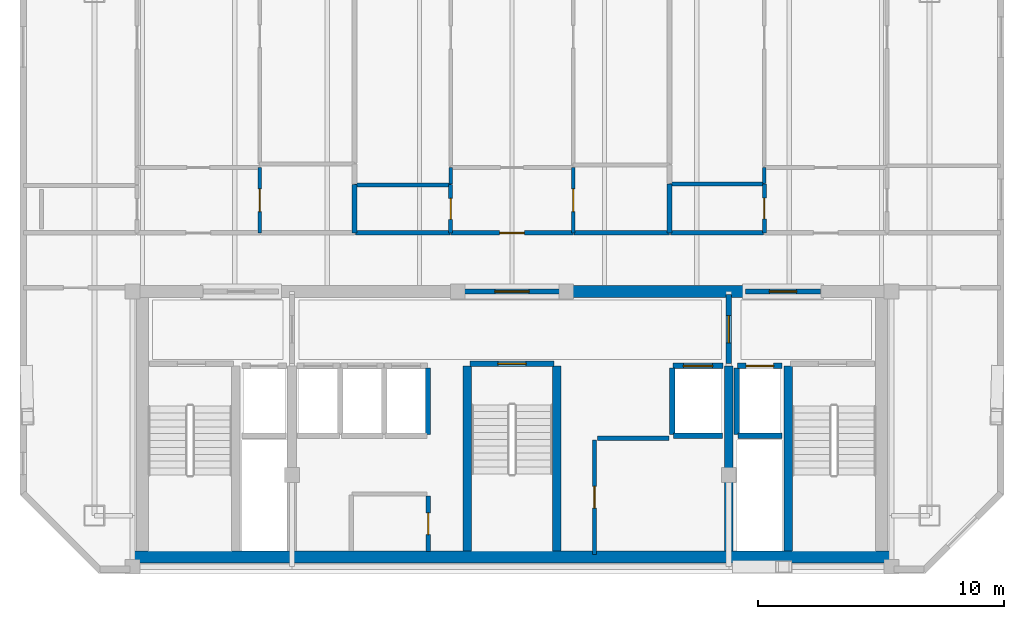
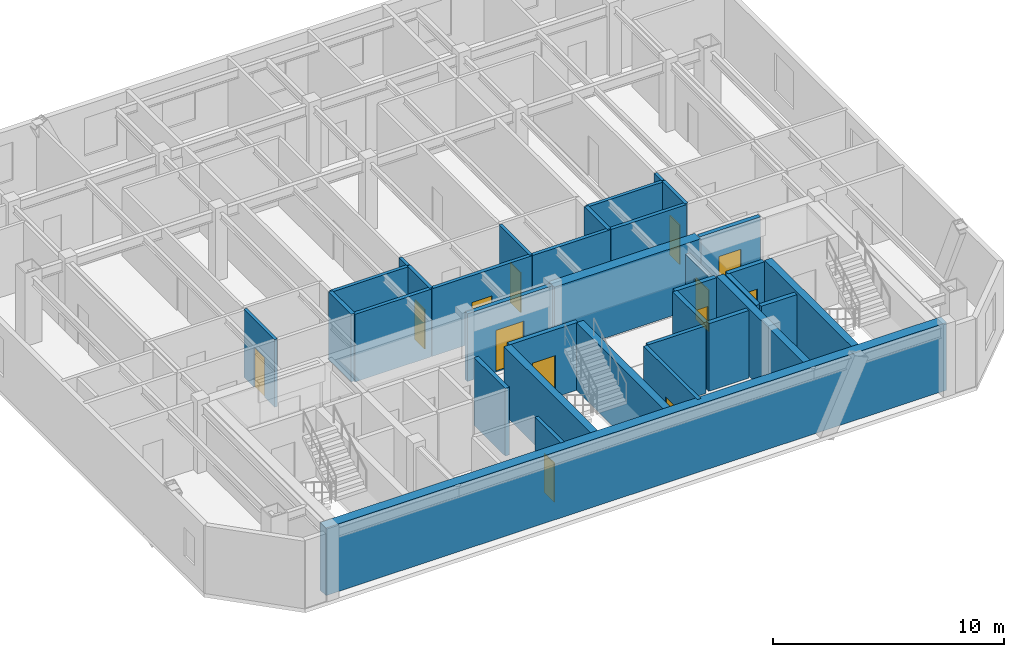
# One storey, part 3 of 7: 34 walls, 13 doors, 13 openings.
"""IFC4 building model written with IfcOpenShell, lengths in metres."""

import ifcopenshell
import ifcopenshell.guid

model = None  # the IFC model being written
_history = None  # IfcOwnerHistory: only IFC2X3 demands one
_inside = {}  # id of a spatial element -> (the spatial element, [elements in it])
_under = {}  # id of a project, library or spatial element -> (it, [spatial elements below it])
_declared = {}  # id of a project -> (the project, [libraries it declares])
_typed = {}  # id of a type object -> (the type object, [elements of that type])
_made_of = {}  # id of a material, layer set ... -> (it, [elements and type objects made of it])


def new_model(schema):
    """Start an empty IFC model of exactly this schema.

    Asked for "IFC4X3", IfcOpenShell would pick the latest addendum, in which some entities
    have other attributes; the version numbers below select the first issue.
    IFC2X3 requires an IfcOwnerHistory on every rooted entity: one is made here for all.
    """
    global model, _history
    if schema == "IFC4X3":
        model = ifcopenshell.file(schema_version=(4, 3, 0, 0))
    else:
        model = ifcopenshell.file(schema=schema)
    _inside.clear()
    _under.clear()
    _declared.clear()
    _typed.clear()
    _made_of.clear()
    _history = None
    if model.schema == "IFC2X3":
        org = make("IfcOrganization", Name="unknown")
        user = make(
            "IfcPersonAndOrganization",
            ThePerson=make("IfcPerson", FamilyName="unknown"),
            TheOrganization=org,
        )
        app = make(
            "IfcApplication",
            ApplicationDeveloper=org,
            Version="unknown",
            ApplicationFullName="unknown",
            ApplicationIdentifier="unknown",
        )
        _history = make(
            "IfcOwnerHistory",
            OwningUser=user,
            OwningApplication=app,
            ChangeAction="ADDED",
            CreationDate=0,
        )
    return model


def make(cls, **values):
    """One entity of the class cls with the attributes given. An attribute that is None is left unset."""
    return model.create_entity(
        cls, **{name: value for name, value in values.items() if value is not None}
    )


def rooted(cls, **values):
    """An entity with a GlobalId (a new one), such as an element, a storey or a relation."""
    return make(cls, GlobalId=ifcopenshell.guid.new(), OwnerHistory=_history, **values)


def si_unit(unit_type, name, prefix=None):
    """IfcSIUnit, for example si_unit("LENGTHUNIT", "METRE", prefix="MILLI")."""
    return make("IfcSIUnit", UnitType=unit_type, Prefix=prefix, Name=name)


def assignment(units):
    """IfcUnitAssignment: the units of a project."""
    return None if units is None else make("IfcUnitAssignment", Units=units)


def point(xyz):
    """IfcCartesianPoint."""
    return None if xyz is None else make("IfcCartesianPoint", Coordinates=xyz)


def direction(xyz):
    """IfcDirection."""
    return None if xyz is None else make("IfcDirection", DirectionRatios=xyz)


def frame(location, z_axis=None, x_axis=None):
    """IfcAxis2Placement3D, a coordinate frame: its origin and axes. An axis left out is left unset."""
    return make(
        "IfcAxis2Placement3D",
        Location=point(location),
        Axis=direction(z_axis),
        RefDirection=direction(x_axis),
    )


def frame_2d(location, x_axis=None):
    """IfcAxis2Placement2D, a coordinate frame in the plane: its origin and x axis."""
    return make(
        "IfcAxis2Placement2D", Location=point(location), RefDirection=direction(x_axis)
    )


def origin():
    """The frame at (0, 0, 0) with its axes left unset."""
    return frame((0.0, 0.0, 0.0))


def place(relative_to, where):
    """IfcLocalPlacement: puts the frame where relative to a parent placement (None: the world)."""
    return make(
        "IfcLocalPlacement", PlacementRelTo=relative_to, RelativePlacement=where
    )


def context(
    kind, dimensions, precision=None, world=None, true_north=None, identifier=None
):
    """IfcGeometricRepresentationContext, for example the 3D "Model" context."""
    return make(
        "IfcGeometricRepresentationContext",
        ContextIdentifier=identifier,
        ContextType=kind,
        CoordinateSpaceDimension=dimensions,
        Precision=precision,
        WorldCoordinateSystem=world,
        TrueNorth=true_north,
    )


def subcontext(parent, identifier, kind, view, scale=None):
    """IfcGeometricRepresentationSubContext, for example "Body" below "Model"."""
    return make(
        "IfcGeometricRepresentationSubContext",
        ContextIdentifier=identifier,
        ContextType=kind,
        ParentContext=parent,
        TargetScale=scale,
        TargetView=view,
    )


def project(units=None, contexts=None):
    """IfcProject with its units and contexts."""
    return rooted(
        "IfcProject",
        Name="project",
        RepresentationContexts=contexts,
        UnitsInContext=assignment(units),
    )


def spatial(cls, under=None, at=None, **own):
    """A site, building, storey or space (cls), placed at a placement, below another one or the project."""
    s = rooted(cls, ObjectPlacement=at, **own)
    if under is not None:
        _under.setdefault(under.id(), (under, []))[1].append(s)
    return s


def profile(cls, at=None, kind="AREA", **sizes):
    """A parametric profile (cls). Its sizes go by their IFC names, for example OverallWidth=200.0."""
    return make(cls, ProfileType=kind, Position=at, **sizes)


def rectangle(**sizes):
    """IfcRectangleProfileDef."""
    return profile("IfcRectangleProfileDef", **sizes)


def extrude(swept, where, along, depth):
    """IfcExtrudedAreaSolid: the profile swept, set in the frame where, extruded along a direction by depth."""
    return make(
        "IfcExtrudedAreaSolid",
        SweptArea=swept,
        Position=where,
        ExtrudedDirection=direction(along),
        Depth=depth,
    )


def shape(context_of_items, identifier, shape_type, items):
    """IfcShapeRepresentation: the items that make up one representation, for example the "Body"."""
    return make(
        "IfcShapeRepresentation",
        ContextOfItems=context_of_items,
        RepresentationIdentifier=identifier,
        RepresentationType=shape_type,
        Items=items,
    )


def material(Name=None, Category=None):
    """IfcMaterial."""
    return make("IfcMaterial", Name=Name, Category=Category)


def layer(
    of_material, thickness, ventilated=None, Name=None, Category=None, Priority=None
):
    """IfcMaterialLayer: one layer of a wall or slab, of a material (None: an air gap)."""
    return make(
        "IfcMaterialLayer",
        Material=of_material,
        LayerThickness=thickness,
        IsVentilated=ventilated,
        Name=Name,
        Category=Category,
        Priority=Priority,
    )


def layer_set(layers, Name=None):
    """IfcMaterialLayerSet."""
    return make("IfcMaterialLayerSet", MaterialLayers=layers, LayerSetName=Name)


def made_of(thing, what):
    """Note that an element or type object is made of a material, layer set ...; save() writes the relation."""
    if what is not None:
        _made_of.setdefault(what.id(), (what, []))[1].append(thing)
    return thing


def type_object(cls, material=None, **own):
    """A type object (cls), such as IfcWallType, which elements share."""
    return made_of(rooted(cls, **own), material)


def element(
    cls,
    number,
    at=None,
    inside=None,
    cuts=None,
    type_object=None,
    material=None,
    context=None,
    identifier="Body",
    shape_type=None,
    held_by="IfcProductDefinitionShape",
    body=None,
    shapes=None,
    **own,
):
    """One element of the class cls, such as IfcWall. Its Tag is "e" and its number.

    at: its placement. inside: the storey or other place that contains it. cuts: it is an
    opening in that element (IfcRelVoidsElement). A single representation is given by context,
    identifier, shape_type and body (its items); several are given by shapes. held_by: the class
    of the entity that holds the representations. save() writes the other relations.
    """
    e = rooted(cls, Tag="e%d" % number, ObjectPlacement=at, **own)
    if body is not None:
        shapes = [shape(context, identifier, shape_type, body)]
    if shapes is not None:
        e.Representation = make(held_by, Representations=shapes)
    if inside is not None:
        _inside.setdefault(inside.id(), (inside, []))[1].append(e)
    if cuts is not None:
        rooted(
            "IfcRelVoidsElement", RelatingBuildingElement=cuts, RelatedOpeningElement=e
        )
    if type_object is not None:
        _typed.setdefault(type_object.id(), (type_object, []))[1].append(e)
    return made_of(e, material)


def fill(opening, filler):
    """IfcRelFillsElement: the door or window that sits in an opening."""
    return rooted(
        "IfcRelFillsElement",
        RelatingOpeningElement=opening,
        RelatedBuildingElement=filler,
    )


def aggregate(whole, parts):
    """IfcRelAggregates: a whole, such as a stair, and the parts it consists of."""
    return rooted("IfcRelAggregates", RelatingObject=whole, RelatedObjects=parts)


def save(model, path):
    """Write the relations noted so far, then the file.

    IfcRelAggregates (storeys below a building ...), IfcRelContainedInSpatialStructure (elements
    in a storey), IfcRelDefinesByType, IfcRelAssociatesMaterial and IfcRelDeclares: one each for
    every whole, place, type object, material and project.
    """
    for whole, parts in _under.values():
        aggregate(whole, parts)
    for where, things in _inside.values():
        rooted(
            "IfcRelContainedInSpatialStructure",
            RelatedElements=things,
            RelatingStructure=where,
        )
    for kind, things in _typed.values():
        rooted("IfcRelDefinesByType", RelatedObjects=things, RelatingType=kind)
    for what, things in _made_of.values():
        rooted("IfcRelAssociatesMaterial", RelatedObjects=things, RelatingMaterial=what)
    for by, libraries in _declared.values():
        rooted("IfcRelDeclares", RelatingContext=by, RelatedDefinitions=libraries)
    model.write(path)


model = new_model("IFC4")

# Units and contexts
model_context = context("Model", 3, precision=1e-05, world=origin(), true_north=direction((0.0, 1.0)))
body_context = subcontext(model_context, "Body", "Model", "MODEL_VIEW")
ifc_project = project(units=[si_unit("LENGTHUNIT", "METRE"), si_unit("AREAUNIT", "SQUARE_METRE"), si_unit("VOLUMEUNIT", "CUBIC_METRE"), si_unit("PLANEANGLEUNIT", "RADIAN"), si_unit("MASSUNIT", "GRAM", prefix="KILO")], contexts=[model_context])

# Site, building, storey
site_placement = place(None, origin())
site = spatial("IfcSite", under=ifc_project, at=site_placement, CompositionType="ELEMENT")
building_placement = place(site_placement, origin())
building = spatial("IfcBuilding", under=site, at=building_placement, Name="Ventersveld Concourse Tower", CompositionType="ELEMENT")
storey_placement = place(building_placement, frame((0.0, 0.0, 304.14990234375)))
storey = spatial("IfcBuildingStorey", under=building, at=storey_placement, Name="L75", CompositionType="ELEMENT", Elevation=304.14990234375)

# Walls
ifc_material_1 = material(Name="Concrete C50/60", Category="concrete")
ifc_layer_1 = layer(ifc_material_1, 0.35009765625)
ifc_layer_set_1 = layer_set([ifc_layer_1], Name="Concrete C50/60")
wall_type_1 = type_object("IfcWallType", Name="WL-CORE-350U", PredefinedType="SHEAR", material=ifc_layer_set_1)
for number, where, z_axis, x_axis, name in (
    (1, (26.93994140625, 0.919921875, 0.0), (0.0, 0.0, 1.0), (0.0, 1.0, 0.0), "L75 Core Internal Shear Web W-ST3-W"),
    (2, (30.56005859375, 0.919921875, 0.0), (0.0, 0.0, 1.0), (0.0, 1.0, 0.0), "L75 Core Internal Shear Web W-ST3-E"),
    (3, (37.550048828125, 0.919921875, 0.0), (0.0, 0.0, 1.0), (0.0, 1.0, 0.0), "L75 Core Internal Shear Web W-SVL-W"),
    (4, (39.9599609375, 0.919921875, 0.0), (0.0, 0.0, 1.0), (0.0, 1.0, 0.0), "L75 Core Internal Shear Web W-ST2-W"),
):
    element("IfcWall", number, at=place(storey_placement, frame(where, z_axis=z_axis, x_axis=x_axis)), inside=storey, type_object=wall_type_1, Name=name, PredefinedType="SHEAR", context=body_context, shape_type="SweptSolid", body=[
        extrude(rectangle(XDim=7.5, YDim=0.35009765625, at=frame_2d((3.75, 0.0))), origin(), (0.0, 0.0, 1.0), 3.570068359375),
    ])
ifc_layer_2 = layer(ifc_material_1, 0.5)
ifc_layer_set_2 = layer_set([ifc_layer_2], Name="Concrete C50/60")
wall_type_2 = type_object("IfcWallType", Name="WL-CORE-500", PredefinedType="SHEAR", material=ifc_layer_set_2)
wall_1_placement = place(storey_placement, frame((13.25, 0.669921875, 0.0), z_axis=(0.0, 0.0, 1.0), x_axis=(1.0, 0.0, 0.0)))
element("IfcWall", 5, at=wall_1_placement, inside=storey, type_object=wall_type_2, Name="L75 Rear Core South Shear Wall", PredefinedType="SHEAR", context=body_context, shape_type="SweptSolid", body=[
    extrude(rectangle(XDim=31.0, YDim=0.5, at=frame_2d((15.5, 0.0))), origin(), (0.0, 0.0, 1.0), 3.570068359375),
])
wall_2_placement = place(storey_placement, frame((30.89990234375, 11.449951171875, 0.0), z_axis=(0.0, 0.0, 1.0), x_axis=(1.0, 0.0, 0.0)))
element("IfcWall", 6, at=wall_2_placement, inside=storey, type_object=wall_type_2, Name="L75 Rear Core North Shear Wall NMR", PredefinedType="SHEAR", context=body_context, shape_type="SweptSolid", body=[
    extrude(rectangle(XDim=7.300048828125, YDim=0.5, at=frame_2d((3.64990234375, 0.0))), origin(), (0.0, 0.0, 1.0), 3.570068359375),
])

# Wall, opening, door
ifc_material_2 = material(Name="Fire-rated autoclaved aerated masonry blockwork", Category="masonry")
ifc_layer_3 = layer(ifc_material_2, 0.179931640625)
ifc_layer_set_3 = layer_set([ifc_layer_3], Name="Fire-rated autoclaved aerated masonry blockwork")
wall_type_3 = type_object("IfcWallType", Name="WL-CORR-180", PredefinedType="PARTITIONING", material=ifc_layer_set_3)
wall_3_placement = place(storey_placement, frame((25.35009765625, 0.89990234375, 0.0), z_axis=(0.0, 0.0, 1.0), x_axis=(0.0, 1.0, 0.0)))
wall_3 = element("IfcWall", 7, at=wall_3_placement, inside=storey, type_object=wall_type_3, Name="L75 Core Passage Wall SP-L75-RECB1", PredefinedType="PARTITIONING", context=body_context, shape_type="SweptSolid", body=[
    extrude(rectangle(XDim=2.239990234375, YDim=0.179931640625, at=frame_2d((1.1201171875, 0.0))), origin(), (0.0, 0.0, 1.0), 3.570068359375),
])
opening_1_placement = place(wall_3_placement, frame((0.679931640625, 0.0, 0.0)))
opening_1 = element("IfcOpeningElement", 8, at=opening_1_placement, cuts=wall_3, Name="Opening FD5", PredefinedType="OPENING", context=body_context, shape_type="SweptSolid", body=[
    extrude(rectangle(XDim=0.8798828125, YDim=2.050048828125, at=frame_2d((0.43994140625, 1.02490234375))), frame((0.0, 0.10009765625, 0.0), z_axis=(0.0, -1.0, 0.0), x_axis=(1.0, 0.0, 0.0)), (0.0, 0.0, 1.0), 0.199951171875),
])
ifc_material_3 = material(Name="Galvanised painted steel", Category="steel")
door_type_1 = type_object("IfcDoorType", Name="DR-RISER-088", OperationType="NOTDEFINED", PredefinedType="DOOR", material=ifc_material_3)
door_1_placement = place(opening_1_placement, origin())
door_1 = element("IfcDoor", 9, at=door_1_placement, inside=storey, type_object=door_type_1, Name="L75 Core Room Door L75 Reclaimed Core Residents Reading Room (CD-L75-3448)", OperationType="SINGLE_SWING_LEFT", OverallHeight=2.050048828125, OverallWidth=0.8798828125, PredefinedType="DOOR", context=body_context, shape_type="SweptSolid", body=[
    extrude(rectangle(XDim=0.8798828125, YDim=2.050048828125, at=frame_2d((0.43994140625, 1.02490234375))), frame((0.0, 0.02490234375, 0.0), z_axis=(0.0, -1.0, 0.0), x_axis=(1.0, 0.0, 0.0)), (0.0, 0.0, 1.0), 0.050048828125),
])
fill(opening_1, door_1)

wall_4_placement = place(storey_placement, frame((32.10009765625, 0.780029296875, 0.0), z_axis=(0.0, 0.0, 1.0), x_axis=(0.0, 1.0, 0.0)))
wall_4 = element("IfcWall", 10, at=wall_4_placement, inside=storey, type_object=wall_type_3, Name="L75 Core Passage Wall SP-L75-RECB2", PredefinedType="PARTITIONING", context=body_context, shape_type="SweptSolid", body=[
    extrude(rectangle(XDim=4.639892578125, YDim=0.179931640625, at=frame_2d((2.31982421875, 0.0))), origin(), (0.0, 0.0, 1.0), 3.570068359375),
])
opening_2_placement = place(wall_4_placement, frame((1.8798828125, 0.0, 0.0)))
opening_2 = element("IfcOpeningElement", 11, at=opening_2_placement, cuts=wall_4, Name="Opening FD5", PredefinedType="OPENING", context=body_context, shape_type="SweptSolid", body=[
    extrude(rectangle(XDim=0.8798828125, YDim=2.050048828125, at=frame_2d((0.43994140625, 1.02490234375))), frame((0.0, 0.10009765625, 0.0), z_axis=(0.0, -1.0, 0.0), x_axis=(1.0, 0.0, 0.0)), (0.0, 0.0, 1.0), 0.199951171875),
])
door_2_placement = place(opening_2_placement, origin())
door_2 = element("IfcDoor", 12, at=door_2_placement, inside=storey, type_object=door_type_1, Name="L75 Core Room Door L75 Reclaimed Core Wellness Yoga Studio (CD-L75-3449)", OperationType="SINGLE_SWING_RIGHT", OverallHeight=2.050048828125, OverallWidth=0.8798828125, PredefinedType="DOOR", context=body_context, shape_type="SweptSolid", body=[
    extrude(rectangle(XDim=0.8798828125, YDim=2.050048828125, at=frame_2d((0.43994140625, 1.02490234375))), frame((0.0, 0.02490234375, 0.0), z_axis=(0.0, -1.0, 0.0), x_axis=(1.0, 0.0, 0.0)), (0.0, 0.0, 1.0), 0.050048828125),
])
fill(opening_2, door_2)

# Wall
wall_5_placement = place(storey_placement, frame((32.219970703125, 5.5, 0.0), z_axis=(0.0, 0.0, 1.0), x_axis=(1.0, 0.0, 0.0)))
element("IfcWall", 13, at=wall_5_placement, inside=storey, type_object=wall_type_3, Name="L75 Core Top Wall SP-L75-RECB2", PredefinedType="PARTITIONING", context=body_context, shape_type="SweptSolid", body=[
    extrude(rectangle(XDim=2.900146484375, YDim=0.179931640625, at=frame_2d((1.4501953125, 0.0))), origin(), (0.0, 0.0, 1.0), 3.570068359375),
])

# Wall, opening, door
wall_6_placement = place(storey_placement, frame((26.255126953125, 13.830078125, 0.0), z_axis=(0.0, 0.0, 1.0), x_axis=(1.0, 0.0, 0.0)))
wall_6 = element("IfcWall", 14, at=wall_6_placement, inside=storey, type_object=wall_type_3, Name="L75 Interior Partition SP-L75-COR-SP-L75-75N2-FOY", PredefinedType="PARTITIONING", context=body_context, shape_type="SweptSolid", body=[
    extrude(rectangle(XDim=4.989990234375, YDim=0.179931640625, at=frame_2d((2.4951171875, 0.0))), origin(), (0.0, 0.0, 1.0), 3.570068359375),
])
opening_3_placement = place(wall_6_placement, frame((1.9951171875, 0.0, 0.0)))
opening_3 = element("IfcOpeningElement", 15, at=opening_3_placement, cuts=wall_6, Name="Opening FD3", PredefinedType="OPENING", context=body_context, shape_type="SweptSolid", body=[
    extrude(rectangle(XDim=1.0, YDim=2.14990234375, at=frame_2d((0.5, 1.074951171875))), frame((0.0, 0.10009765625, 0.0), z_axis=(0.0, -1.0, 0.0), x_axis=(1.0, 0.0, 0.0)), (0.0, 0.0, 1.0), 0.199951171875),
])
ifc_material_4 = material(Name="Solid-core hardwood veneer timber", Category="wood")
door_type_2 = type_object("IfcDoorType", Name="DR-FLAT-100", OperationType="NOTDEFINED", PredefinedType="DOOR", material=ifc_material_4)
door_3_placement = place(opening_3_placement, origin())
door_3 = element("IfcDoor", 16, at=door_3_placement, inside=storey, type_object=door_type_2, Name="L75 Interior Door SP-L75-COR to SP-L75-75N2-FOY (FD-L75-3453)", OperationType="SINGLE_SWING_LEFT", OverallHeight=2.14990234375, OverallWidth=1.0, PredefinedType="DOOR", context=body_context, shape_type="SweptSolid", body=[
    extrude(rectangle(XDim=1.0, YDim=2.14990234375, at=frame_2d((0.5, 1.074951171875))), frame((0.0, 0.02490234375, 0.0), z_axis=(0.0, -1.0, 0.0), x_axis=(1.0, 0.0, 0.0)), (0.0, 0.0, 1.0), 0.050048828125),
])
fill(opening_3, door_3)

# Walls
wall_7_placement = place(storey_placement, frame((22.3916015625, 13.830078125, 0.0), z_axis=(0.0, 0.0, 1.0), x_axis=(1.0, 0.0, 0.0)))
element("IfcWall", 17, at=wall_7_placement, inside=storey, type_object=wall_type_3, Name="L75 Interior Partition SP-L75-COR-SP-L75-75N2-BATH", PredefinedType="PARTITIONING", context=body_context, shape_type="SweptSolid", body=[
    extrude(rectangle(XDim=3.83349609375, YDim=0.179931640625, at=frame_2d((1.916748046875, 0.0))), origin(), (0.0, 0.0, 1.0), 3.570068359375),
])
wall_8_placement = place(storey_placement, frame((31.275146484375, 13.830078125, 0.0), z_axis=(0.0, 0.0, 1.0), x_axis=(1.0, 0.0, 0.0)))
element("IfcWall", 18, at=wall_8_placement, inside=storey, type_object=wall_type_3, Name="L75 Interior Partition SP-L75-COR-SP-L75-75N2-KIT", PredefinedType="PARTITIONING", context=body_context, shape_type="SweptSolid", body=[
    extrude(rectangle(XDim=3.873291015625, YDim=0.179931640625, at=frame_2d((1.9365234375, 0.0))), origin(), (0.0, 0.0, 1.0), 3.570068359375),
])
wall_9_placement = place(storey_placement, frame((35.178466796875, 13.830078125, 0.0), z_axis=(0.0, 0.0, 1.0), x_axis=(1.0, 0.0, 0.0)))
element("IfcWall", 19, at=wall_9_placement, inside=storey, type_object=wall_type_3, Name="L75 Interior Partition SP-L75-COR-SP-L75-75N3-BATH", PredefinedType="PARTITIONING", context=body_context, shape_type="SweptSolid", body=[
    extrude(rectangle(XDim=3.781005859375, YDim=0.179931640625, at=frame_2d((1.890625, 0.0))), origin(), (0.0, 0.0, 1.0), 3.570068359375),
])
ifc_layer_4 = layer(ifc_material_2, 0.199951171875)
ifc_layer_set_4 = layer_set([ifc_layer_4], Name="Fire-rated autoclaved aerated masonry blockwork")
wall_type_4 = type_object("IfcWallType", Name="WL-DEMISE-200", PredefinedType="PARTITIONING", material=ifc_layer_set_4)
wall_10_placement = place(storey_placement, frame((22.356689453125, 13.824951171875, 0.0), z_axis=(0.0, 0.0, 1.0), x_axis=(0.0, 1.0, 0.0)))
element("IfcWall", 20, at=wall_10_placement, inside=storey, type_object=wall_type_4, Name="L75 Interior Partition SP-L75-75N1-KIT-SP-L75-75N2-BATH", PredefinedType="PARTITIONING", context=body_context, shape_type="SweptSolid", body=[
    extrude(rectangle(XDim=1.962646484375, YDim=0.199951171875, at=frame_2d((0.9814453125, 0.0))), origin(), (0.0, 0.0, 1.0), 3.570068359375),
])
wall_11_placement = place(storey_placement, frame((35.1435546875, 13.824951171875, 0.0), z_axis=(0.0, 0.0, 1.0), x_axis=(0.0, 1.0, 0.0)))
element("IfcWall", 21, at=wall_11_placement, inside=storey, type_object=wall_type_4, Name="L75 Interior Partition SP-L75-75N2-KIT-SP-L75-75N3-BATH", PredefinedType="PARTITIONING", context=body_context, shape_type="SweptSolid", body=[
    extrude(rectangle(XDim=1.988037109375, YDim=0.199951171875, at=frame_2d((0.994140625, 0.0))), origin(), (0.0, 0.0, 1.0), 3.570068359375),
])
ifc_layer_5 = layer(ifc_material_2, 0.219970703125)
ifc_layer_set_5 = layer_set([ifc_layer_5], Name="Fire-rated autoclaved aerated masonry blockwork")
wall_type_5 = type_object("IfcWallType", Name="WL-HOIST-220", PredefinedType="SOLIDWALL", material=ifc_layer_set_5)
wall_12_placement = place(storey_placement, frame((37.919921875, 5.590087890625, 0.0), z_axis=(0.0, 0.0, 1.0), x_axis=(1.0, 0.0, 0.0)))
element("IfcWall", 22, at=wall_12_placement, inside=storey, type_object=wall_type_5, Name="L75 Lift Hoistway Back Wall FFL-02", PredefinedType="SOLIDWALL", context=body_context, shape_type="SweptSolid", body=[
    extrude(rectangle(XDim=1.780029296875, YDim=0.219970703125, at=frame_2d((0.89013671875, 0.0))), origin(), (0.0, 0.0, 1.0), 3.570068359375),
])
wall_13_placement = place(storey_placement, frame((37.8798828125, 5.64990234375, 0.0), z_axis=(0.0, 0.0, 1.0), x_axis=(0.0, 1.0, 0.0)))
element("IfcWall", 23, at=wall_13_placement, inside=storey, type_object=wall_type_5, Name="L75 Lift Hoistway Side Wall FFL-02W", PredefinedType="SOLIDWALL", context=body_context, shape_type="SweptSolid", body=[
    extrude(rectangle(XDim=2.7001953125, YDim=0.219970703125, at=frame_2d((1.35009765625, 0.0))), origin(), (0.0, 0.0, 1.0), 3.570068359375),
])

# Wall, opening, door
wall_14_placement = place(storey_placement, frame((37.89990234375, 8.429931640625, 0.0), z_axis=(0.0, 0.0, 1.0), x_axis=(1.0, 0.0, 0.0)))
wall_14 = element("IfcWall", 24, at=wall_14_placement, inside=storey, type_object=wall_type_5, Name="L75 Lift Hoistway Front Wall FFL-02", PredefinedType="SOLIDWALL", context=body_context, shape_type="SweptSolid", body=[
    extrude(rectangle(XDim=1.820068359375, YDim=0.219970703125, at=frame_2d((0.91015625, 0.0))), origin(), (0.0, 0.0, 1.0), 3.570068359375),
])
opening_4_placement = place(wall_14_placement, frame((0.35009765625, 0.0, 0.0)))
opening_4 = element("IfcOpeningElement", 25, at=opening_4_placement, cuts=wall_14, Name="Opening LD1", PredefinedType="OPENING", context=body_context, shape_type="SweptSolid", body=[
    extrude(rectangle(XDim=1.1201171875, YDim=2.25, at=frame_2d((0.56005859375, 1.125))), frame((0.0, 0.1201171875, 0.0), z_axis=(0.0, -1.0, 0.0), x_axis=(1.0, 0.0, 0.0)), (0.0, 0.0, 1.0), 0.239990234375),
])
ifc_material_5 = material(Name="Brushed stainless steel 316", Category="steel")
door_type_3 = type_object("IfcDoorType", Name="LD-FF-112", OperationType="SLIDING_TO_LEFT", PredefinedType="DOOR", material=ifc_material_5)
door_4_placement = place(opening_4_placement, origin())
door_4 = element("IfcDoor", 26, at=door_4_placement, inside=storey, type_object=door_type_3, Name="L75 Lift landing door FFL-02 (LD-L75-FFL-02)", OperationType="SLIDING_TO_LEFT", OverallHeight=2.25, OverallWidth=1.1201171875, PredefinedType="DOOR", context=body_context, shape_type="SweptSolid", body=[
    extrude(rectangle(XDim=1.1201171875, YDim=2.25, at=frame_2d((0.56005859375, 1.125))), frame((0.0, 0.02490234375, 0.0), z_axis=(0.0, -1.0, 0.0), x_axis=(1.0, 0.0, 0.0)), (0.0, 0.0, 1.0), 0.050048828125),
])
fill(opening_4, door_4)

# Walls
wall_15_placement = place(storey_placement, frame((35.300048828125, 5.590087890625, 0.0), z_axis=(0.0, 0.0, 1.0), x_axis=(1.0, 0.0, 0.0)))
element("IfcWall", 27, at=wall_15_placement, inside=storey, type_object=wall_type_5, Name="L75 Lift Hoistway Back Wall SVL-01", PredefinedType="SOLIDWALL", context=body_context, shape_type="SweptSolid", body=[
    extrude(rectangle(XDim=2.0, YDim=0.219970703125, at=frame_2d((1.0, 0.0))), origin(), (0.0, 0.0, 1.0), 3.570068359375),
])
wall_16_placement = place(storey_placement, frame((35.260009765625, 5.64990234375, 0.0), z_axis=(0.0, 0.0, 1.0), x_axis=(0.0, 1.0, 0.0)))
element("IfcWall", 28, at=wall_16_placement, inside=storey, type_object=wall_type_5, Name="L75 Lift Hoistway Side Wall SVL-01W", PredefinedType="SOLIDWALL", context=body_context, shape_type="SweptSolid", body=[
    extrude(rectangle(XDim=2.7001953125, YDim=0.219970703125, at=frame_2d((1.35009765625, 0.0))), origin(), (0.0, 0.0, 1.0), 3.570068359375),
])

# Wall, opening, door
wall_17_placement = place(storey_placement, frame((35.280029296875, 8.429931640625, 0.0), z_axis=(0.0, 0.0, 1.0), x_axis=(1.0, 0.0, 0.0)))
wall_17 = element("IfcWall", 29, at=wall_17_placement, inside=storey, type_object=wall_type_5, Name="L75 Lift Hoistway Front Wall SVL-01", PredefinedType="SOLIDWALL", context=body_context, shape_type="SweptSolid", body=[
    extrude(rectangle(XDim=2.0400390625, YDim=0.219970703125, at=frame_2d((1.02001953125, 0.0))), origin(), (0.0, 0.0, 1.0), 3.570068359375),
])
opening_5_placement = place(wall_17_placement, frame((0.429931640625, 0.0, 0.0)))
opening_5 = element("IfcOpeningElement", 30, at=opening_5_placement, cuts=wall_17, Name="Opening LD2", PredefinedType="OPENING", context=body_context, shape_type="SweptSolid", body=[
    extrude(rectangle(XDim=1.179931640625, YDim=2.199951171875, at=frame_2d((0.58984375, 1.10009765625))), frame((0.0, 0.1201171875, 0.0), z_axis=(0.0, -1.0, 0.0), x_axis=(1.0, 0.0, 0.0)), (0.0, 0.0, 1.0), 0.239990234375),
])
door_type_4 = type_object("IfcDoorType", Name="LD-PAX-118", OperationType="SLIDING_TO_LEFT", PredefinedType="DOOR", material=ifc_material_5)
door_5_placement = place(opening_5_placement, origin())
door_5 = element("IfcDoor", 31, at=door_5_placement, inside=storey, type_object=door_type_4, Name="L75 Lift landing door SVL-01 (LD-L75-SVL-01)", OperationType="SLIDING_TO_RIGHT", OverallHeight=2.199951171875, OverallWidth=1.179931640625, PredefinedType="DOOR", context=body_context, shape_type="SweptSolid", body=[
    extrude(rectangle(XDim=1.179931640625, YDim=2.199951171875, at=frame_2d((0.58984375, 1.10009765625))), frame((0.0, 0.02490234375, 0.0), z_axis=(0.0, -1.0, 0.0), x_axis=(1.0, 0.0, 0.0)), (0.0, 0.0, 1.0), 0.050048828125),
])
fill(opening_5, door_5)

# Wall
wall_18_placement = place(storey_placement, frame((25.340087890625, 5.64990234375, 0.0), z_axis=(0.0, 0.0, 1.0), x_axis=(0.0, 1.0, 0.0)))
element("IfcWall", 32, at=wall_18_placement, inside=storey, type_object=wall_type_5, Name="L75 Lift Hoistway Side Wall PH-03E", PredefinedType="SOLIDWALL", context=body_context, shape_type="SweptSolid", body=[
    extrude(rectangle(XDim=2.7001953125, YDim=0.219970703125, at=frame_2d((1.35009765625, 0.0))), origin(), (0.0, 0.0, 1.0), 3.570068359375),
])

# Wall, opening, door
wall_19_placement = place(storey_placement, frame((27.0400390625, 8.52001953125, 0.0), z_axis=(0.0, 0.0, 1.0), x_axis=(1.0, 0.0, 0.0)))
wall_19 = element("IfcWall", 33, at=wall_19_placement, inside=storey, type_object=wall_type_5, Name="L75 Escape Stair ST03 Fire Wall", PredefinedType="SOLIDWALL", context=body_context, shape_type="SweptSolid", body=[
    extrude(rectangle(XDim=3.419921875, YDim=0.219970703125, at=frame_2d((1.7099609375, 0.0))), origin(), (0.0, 0.0, 1.0), 3.570068359375),
])
opening_6_placement = place(wall_19_placement, frame((1.135009765625, 0.0, 0.0)))
opening_6 = element("IfcOpeningElement", 34, at=opening_6_placement, cuts=wall_19, Name="Opening FD1", PredefinedType="OPENING", context=body_context, shape_type="SweptSolid", body=[
    extrude(rectangle(XDim=1.14990234375, YDim=2.199951171875, at=frame_2d((0.574951171875, 1.10009765625))), frame((0.0, 0.1201171875, 0.0), z_axis=(0.0, -1.0, 0.0), x_axis=(1.0, 0.0, 0.0)), (0.0, 0.0, 1.0), 0.239990234375),
])
door_type_5 = type_object("IfcDoorType", Name="DR-STAIR-115", OperationType="NOTDEFINED", PredefinedType="DOOR", material=ifc_material_3)
door_6_placement = place(opening_6_placement, origin())
door_6 = element("IfcDoor", 35, at=door_6_placement, inside=storey, type_object=door_type_5, Name="L75 Escape Stair Door ST03 (SD-L75-3442)", OperationType="SINGLE_SWING_LEFT", OverallHeight=2.199951171875, OverallWidth=1.14990234375, PredefinedType="DOOR", context=body_context, shape_type="SweptSolid", body=[
    extrude(rectangle(XDim=1.14990234375, YDim=2.199951171875, at=frame_2d((0.574951171875, 1.10009765625))), frame((0.0, 0.02490234375, 0.0), z_axis=(0.0, -1.0, 0.0), x_axis=(1.0, 0.0, 0.0)), (0.0, 0.0, 1.0), 0.050048828125),
])
fill(opening_6, door_6)

wall_20_placement = place(storey_placement, frame((37.550048828125, 8.52001953125, 0.0), z_axis=(0.0, 0.0, 1.0), x_axis=(0.0, 1.0, 0.0)))
wall_20 = element("IfcWall", 36, at=wall_20_placement, inside=storey, type_object=wall_type_5, Name="L75 Firefighting Lobby Smoke-Stop Wall FFLE-SEP", PredefinedType="SOLIDWALL", context=body_context, shape_type="SweptSolid", body=[
    extrude(rectangle(XDim=2.800048828125, YDim=0.219970703125, at=frame_2d((1.39990234375, 0.0))), origin(), (0.0, 0.0, 1.0), 3.025634765625),
])
opening_7_placement = place(wall_20_placement, frame((0.85009765625, 0.0, 0.0)))
opening_7 = element("IfcOpeningElement", 37, at=opening_7_placement, cuts=wall_20, Name="Opening FD2", PredefinedType="OPENING", context=body_context, shape_type="SweptSolid", body=[
    extrude(rectangle(XDim=1.10009765625, YDim=2.199951171875, at=frame_2d((0.550048828125, 1.10009765625))), frame((0.0, 0.1201171875, 0.0), z_axis=(0.0, -1.0, 0.0), x_axis=(1.0, 0.0, 0.0)), (0.0, 0.0, 1.0), 0.239990234375),
])
door_type_6 = type_object("IfcDoorType", Name="DR-FFL-110", OperationType="NOTDEFINED", PredefinedType="DOOR", material=ifc_material_3)
door_7_placement = place(opening_7_placement, origin())
door_7 = element("IfcDoor", 38, at=door_7_placement, inside=storey, type_object=door_type_6, Name="L75 Firefighting Lobby Door FFLE-SEP (FD-L75-3444)", OperationType="SINGLE_SWING_RIGHT", OverallHeight=2.199951171875, OverallWidth=1.10009765625, PredefinedType="DOOR", context=body_context, shape_type="SweptSolid", body=[
    extrude(rectangle(XDim=1.10009765625, YDim=2.199951171875, at=frame_2d((0.550048828125, 1.10009765625))), frame((0.0, 0.02490234375, 0.0), z_axis=(0.0, -1.0, 0.0), x_axis=(1.0, 0.0, 0.0)), (0.0, 0.0, 1.0), 0.050048828125),
])
fill(opening_7, door_7)

wall_21_placement = place(storey_placement, frame((26.6298828125, 11.449951171875, 0.0), z_axis=(0.0, 0.0, 1.0), x_axis=(1.0, 0.0, 0.0)))
wall_21 = element("IfcWall", 39, at=wall_21_placement, inside=storey, type_object=wall_type_5, Name="L75 Core North Fire Portal PLOB-OUT", PredefinedType="SOLIDWALL", context=body_context, shape_type="SweptSolid", body=[
    extrude(rectangle(XDim=4.240234375, YDim=0.219970703125, at=frame_2d((2.1201171875, 0.0))), origin(), (0.0, 0.0, 1.0), 3.570068359375),
])
opening_8_placement = place(wall_21_placement, frame((1.419921875, 0.0, 0.0)))
opening_8 = element("IfcOpeningElement", 40, at=opening_8_placement, cuts=wall_21, Name="Opening FD4", PredefinedType="OPENING", context=body_context, shape_type="SweptSolid", body=[
    extrude(rectangle(XDim=1.39990234375, YDim=2.199951171875, at=frame_2d((0.699951171875, 1.10009765625))), frame((0.0, 0.1201171875, 0.0), z_axis=(0.0, -1.0, 0.0), x_axis=(1.0, 0.0, 0.0)), (0.0, 0.0, 1.0), 0.239990234375),
])
door_type_7 = type_object("IfcDoorType", Name="DR-PLANT-140", OperationType="DOUBLE_DOOR_SINGLE_SWING", PredefinedType="DOOR", material=ifc_material_3)
door_8_placement = place(opening_8_placement, origin())
door_8 = element("IfcDoor", 41, at=door_8_placement, inside=storey, type_object=door_type_7, Name="L75 Core Lobby Fire Door PLOB-OUT (FD-L75-3446)", OperationType="DOUBLE_DOOR_SINGLE_SWING", OverallHeight=2.199951171875, OverallWidth=1.39990234375, PredefinedType="DOOR", context=body_context, shape_type="SweptSolid", body=[
    extrude(rectangle(XDim=1.39990234375, YDim=2.199951171875, at=frame_2d((0.699951171875, 1.10009765625))), frame((0.0, 0.02490234375, 0.0), z_axis=(0.0, -1.0, 0.0), x_axis=(1.0, 0.0, 0.0)), (0.0, 0.0, 1.0), 0.050048828125),
])
fill(opening_8, door_8)

wall_22_placement = place(storey_placement, frame((38.22998046875, 11.449951171875, 0.0), z_axis=(0.0, 0.0, 1.0), x_axis=(1.0, 0.0, 0.0)))
wall_22 = element("IfcWall", 42, at=wall_22_placement, inside=storey, type_object=wall_type_5, Name="L75 Core North Fire Portal FFLE-OUT", PredefinedType="SOLIDWALL", context=body_context, shape_type="SweptSolid", body=[
    extrude(rectangle(XDim=3.0400390625, YDim=0.219970703125, at=frame_2d((1.52001953125, 0.0))), origin(), (0.0, 0.0, 1.0), 3.570068359375),
])
opening_9_placement = place(wall_22_placement, frame((0.969970703125, 0.0, 0.0)))
opening_9 = element("IfcOpeningElement", 43, at=opening_9_placement, cuts=wall_22, Name="Opening FD2", PredefinedType="OPENING", context=body_context, shape_type="SweptSolid", body=[
    extrude(rectangle(XDim=1.10009765625, YDim=2.199951171875, at=frame_2d((0.550048828125, 1.10009765625))), frame((0.0, 0.1201171875, 0.0), z_axis=(0.0, -1.0, 0.0), x_axis=(1.0, 0.0, 0.0)), (0.0, 0.0, 1.0), 0.239990234375),
])
door_9_placement = place(opening_9_placement, origin())
door_9 = element("IfcDoor", 44, at=door_9_placement, inside=storey, type_object=door_type_6, Name="L75 Core Lobby Fire Door FFLE-OUT (FD-L75-3447)", OperationType="SINGLE_SWING_LEFT", OverallHeight=2.199951171875, OverallWidth=1.10009765625, PredefinedType="DOOR", context=body_context, shape_type="SweptSolid", body=[
    extrude(rectangle(XDim=1.10009765625, YDim=2.199951171875, at=frame_2d((0.550048828125, 1.10009765625))), frame((0.0, 0.02490234375, 0.0), z_axis=(0.0, -1.0, 0.0), x_axis=(1.0, 0.0, 0.0)), (0.0, 0.0, 1.0), 0.050048828125),
])
fill(opening_9, door_9)

ifc_material_6 = material(Name="Autoclaved aerated masonry blockwork", Category="masonry")
ifc_layer_6 = layer(ifc_material_6, 0.14990234375)
ifc_layer_set_6 = layer_set([ifc_layer_6], Name="Autoclaved aerated masonry blockwork")
wall_type_6 = type_object("IfcWallType", Name="WL-INT-150", PredefinedType="PARTITIONING", material=ifc_layer_set_6)
wall_23_placement = place(storey_placement, frame((18.505615234375, 13.824951171875, 0.0), z_axis=(0.0, 0.0, 1.0), x_axis=(0.0, 1.0, 0.0)))
wall_23 = element("IfcWall", 45, at=wall_23_placement, inside=storey, type_object=wall_type_6, Name="L75 Interior Partition SP-L75-75N1-FOY-SP-L75-75N1-KIT", PredefinedType="PARTITIONING", context=body_context, shape_type="SweptSolid", body=[
    extrude(rectangle(XDim=2.66015625, YDim=0.14990234375, at=frame_2d((1.330078125, 0.0))), origin(), (0.0, 0.0, 1.0), 3.570068359375),
])
opening_10_placement = place(wall_23_placement, frame((0.8701171875, 0.0, 0.0)))
opening_10 = element("IfcOpeningElement", 46, at=opening_10_placement, cuts=wall_23, Name="Opening ID1", PredefinedType="OPENING", context=body_context, shape_type="SweptSolid", body=[
    extrude(rectangle(XDim=0.919921875, YDim=2.10009765625, at=frame_2d((0.4599609375, 1.050048828125))), frame((0.0, 0.0849609375, 0.0), z_axis=(0.0, -1.0, 0.0), x_axis=(1.0, 0.0, 0.0)), (0.0, 0.0, 1.0), 0.169921875),
])
door_type_8 = type_object("IfcDoorType", Name="DR-ROOM-092", OperationType="NOTDEFINED", PredefinedType="DOOR", material=ifc_material_4)
door_10_placement = place(opening_10_placement, origin())
door_10 = element("IfcDoor", 47, at=door_10_placement, inside=storey, type_object=door_type_8, Name="L75 Interior Door SP-L75-75N1-FOY to SP-L75-75N1-KIT (D-L75-3457)", OperationType="SINGLE_SWING_LEFT", OverallHeight=2.10009765625, OverallWidth=0.919921875, PredefinedType="DOOR", context=body_context, shape_type="SweptSolid", body=[
    extrude(rectangle(XDim=0.919921875, YDim=2.10009765625, at=frame_2d((0.4599609375, 1.050048828125))), frame((0.0, 0.02490234375, 0.0), z_axis=(0.0, -1.0, 0.0), x_axis=(1.0, 0.0, 0.0)), (0.0, 0.0, 1.0), 0.050048828125),
])
fill(opening_10, door_10)

# Wall
wall_24_placement = place(storey_placement, frame((26.260009765625, 15.8173828125, 0.0), z_axis=(0.0, 0.0, 1.0), x_axis=(0.0, 1.0, 0.0)))
element("IfcWall", 48, at=wall_24_placement, inside=storey, type_object=wall_type_6, Name="L75 Interior Partition SP-L75-75N2-FOY-SP-L75-75N2-OFFL0", PredefinedType="PARTITIONING", context=body_context, shape_type="SweptSolid", body=[
    extrude(rectangle(XDim=0.667724609375, YDim=0.14990234375, at=frame_2d((0.333984375, 0.0))), origin(), (0.0, 0.0, 1.0), 3.570068359375),
])

# Wall, opening, door
wall_25_placement = place(storey_placement, frame((31.239990234375, 13.824951171875, 0.0), z_axis=(0.0, 0.0, 1.0), x_axis=(0.0, 1.0, 0.0)))
wall_25 = element("IfcWall", 49, at=wall_25_placement, inside=storey, type_object=wall_type_6, Name="L75 Interior Partition SP-L75-75N2-FOY-SP-L75-75N2-KIT", PredefinedType="PARTITIONING", context=body_context, shape_type="SweptSolid", body=[
    extrude(rectangle(XDim=2.66015625, YDim=0.14990234375, at=frame_2d((1.330078125, 0.0))), origin(), (0.0, 0.0, 1.0), 3.570068359375),
])
opening_11_placement = place(wall_25_placement, frame((0.8701171875, 0.0, 0.0)))
opening_11 = element("IfcOpeningElement", 50, at=opening_11_placement, cuts=wall_25, Name="Opening ID1", PredefinedType="OPENING", context=body_context, shape_type="SweptSolid", body=[
    extrude(rectangle(XDim=0.919921875, YDim=2.10009765625, at=frame_2d((0.4599609375, 1.050048828125))), frame((0.0, 0.0849609375, 0.0), z_axis=(0.0, -1.0, 0.0), x_axis=(1.0, 0.0, 0.0)), (0.0, 0.0, 1.0), 0.169921875),
])
door_11_placement = place(opening_11_placement, origin())
door_11 = element("IfcDoor", 51, at=door_11_placement, inside=storey, type_object=door_type_8, Name="L75 Interior Door SP-L75-75N2-FOY to SP-L75-75N2-KIT (D-L75-3465)", OperationType="SINGLE_SWING_LEFT", OverallHeight=2.10009765625, OverallWidth=0.919921875, PredefinedType="DOOR", context=body_context, shape_type="SweptSolid", body=[
    extrude(rectangle(XDim=0.919921875, YDim=2.10009765625, at=frame_2d((0.4599609375, 1.050048828125))), frame((0.0, 0.02490234375, 0.0), z_axis=(0.0, -1.0, 0.0), x_axis=(1.0, 0.0, 0.0)), (0.0, 0.0, 1.0), 0.050048828125),
])
fill(opening_11, door_11)

# Wall
wall_26_placement = place(storey_placement, frame((38.994384765625, 15.843017578125, 0.0), z_axis=(0.0, 0.0, 1.0), x_axis=(0.0, 1.0, 0.0)))
element("IfcWall", 52, at=wall_26_placement, inside=storey, type_object=wall_type_6, Name="L75 Interior Partition SP-L75-75N3-FOY-SP-L75-75N3-OFFL0", PredefinedType="PARTITIONING", context=body_context, shape_type="SweptSolid", body=[
    extrude(rectangle(XDim=0.64208984375, YDim=0.14990234375, at=frame_2d((0.321044921875, 0.0))), origin(), (0.0, 0.0, 1.0), 3.570068359375),
])

# Wall, opening, door
ifc_layer_7 = layer(ifc_material_6, 0.1650390625)
ifc_layer_set_7 = layer_set([ifc_layer_7], Name="Autoclaved aerated masonry blockwork")
wall_type_7 = type_object("IfcWallType", Name="WL-WET-165", PredefinedType="PLUMBINGWALL", material=ifc_layer_set_7)
wall_27_placement = place(storey_placement, frame((26.260009765625, 13.824951171875, 0.0), z_axis=(0.0, 0.0, 1.0), x_axis=(0.0, 1.0, 0.0)))
wall_27 = element("IfcWall", 53, at=wall_27_placement, inside=storey, type_object=wall_type_7, Name="L75 Interior Partition SP-L75-75N2-FOY-SP-L75-75N2-BATH", PredefinedType="PLUMBINGWALL", context=body_context, shape_type="SweptSolid", body=[
    extrude(rectangle(XDim=1.962646484375, YDim=0.1650390625, at=frame_2d((0.9814453125, 0.0))), origin(), (0.0, 0.0, 1.0), 3.570068359375),
])
opening_12_placement = place(wall_27_placement, frame((0.556396484375, 0.0, 0.0)))
opening_12 = element("IfcOpeningElement", 54, at=opening_12_placement, cuts=wall_27, Name="Opening ID2", PredefinedType="OPENING", context=body_context, shape_type="SweptSolid", body=[
    extrude(rectangle(XDim=0.85009765625, YDim=2.10009765625, at=frame_2d((0.425048828125, 1.050048828125))), frame((0.0, 0.092529296875, 0.0), z_axis=(0.0, -1.0, 0.0), x_axis=(1.0, 0.0, 0.0)), (0.0, 0.0, 1.0), 0.18505859375),
])
door_type_9 = type_object("IfcDoorType", Name="DR-BATH-085", OperationType="NOTDEFINED", PredefinedType="DOOR", material=ifc_material_4)
door_12_placement = place(opening_12_placement, origin())
door_12 = element("IfcDoor", 55, at=door_12_placement, inside=storey, type_object=door_type_9, Name="L75 Interior Door SP-L75-75N2-FOY to SP-L75-75N2-BATH (D-L75-3464)", OperationType="SINGLE_SWING_RIGHT", OverallHeight=2.10009765625, OverallWidth=0.85009765625, PredefinedType="DOOR", context=body_context, shape_type="SweptSolid", body=[
    extrude(rectangle(XDim=0.85009765625, YDim=2.10009765625, at=frame_2d((0.425048828125, 1.050048828125))), frame((0.0, 0.02490234375, 0.0), z_axis=(0.0, -1.0, 0.0), x_axis=(1.0, 0.0, 0.0)), (0.0, 0.0, 1.0), 0.050048828125),
])
fill(opening_12, door_12)

# Wall
wall_28_placement = place(storey_placement, frame((22.3515625, 15.782470703125, 0.0), z_axis=(0.0, 0.0, 1.0), x_axis=(1.0, 0.0, 0.0)))
element("IfcWall", 56, at=wall_28_placement, inside=storey, type_object=wall_type_7, Name="L75 Interior Partition SP-L75-75N2-BATH-SP-L75-75N2-OFFL0", PredefinedType="PLUMBINGWALL", context=body_context, shape_type="SweptSolid", body=[
    extrude(rectangle(XDim=3.91357421875, YDim=0.1650390625, at=frame_2d((1.956787109375, 0.0))), origin(), (0.0, 0.0, 1.0), 3.570068359375),
])

# Wall, opening, door
wall_29_placement = place(storey_placement, frame((38.994384765625, 13.824951171875, 0.0), z_axis=(0.0, 0.0, 1.0), x_axis=(0.0, 1.0, 0.0)))
wall_29 = element("IfcWall", 57, at=wall_29_placement, inside=storey, type_object=wall_type_7, Name="L75 Interior Partition SP-L75-75N3-FOY-SP-L75-75N3-BATH", PredefinedType="PLUMBINGWALL", context=body_context, shape_type="SweptSolid", body=[
    extrude(rectangle(XDim=1.988037109375, YDim=0.1650390625, at=frame_2d((0.994140625, 0.0))), origin(), (0.0, 0.0, 1.0), 3.570068359375),
])
opening_13_placement = place(wall_29_placement, frame((0.569091796875, 0.0, 0.0)))
opening_13 = element("IfcOpeningElement", 58, at=opening_13_placement, cuts=wall_29, Name="Opening ID2", PredefinedType="OPENING", context=body_context, shape_type="SweptSolid", body=[
    extrude(rectangle(XDim=0.85009765625, YDim=2.10009765625, at=frame_2d((0.425048828125, 1.050048828125))), frame((0.0, 0.092529296875, 0.0), z_axis=(0.0, -1.0, 0.0), x_axis=(1.0, 0.0, 0.0)), (0.0, 0.0, 1.0), 0.18505859375),
])
door_13_placement = place(opening_13_placement, origin())
door_13 = element("IfcDoor", 59, at=door_13_placement, inside=storey, type_object=door_type_9, Name="L75 Interior Door SP-L75-75N3-FOY to SP-L75-75N3-BATH (D-L75-3472)", OperationType="SINGLE_SWING_RIGHT", OverallHeight=2.10009765625, OverallWidth=0.85009765625, PredefinedType="DOOR", context=body_context, shape_type="SweptSolid", body=[
    extrude(rectangle(XDim=0.85009765625, YDim=2.10009765625, at=frame_2d((0.425048828125, 1.050048828125))), frame((0.0, 0.02490234375, 0.0), z_axis=(0.0, -1.0, 0.0), x_axis=(1.0, 0.0, 0.0)), (0.0, 0.0, 1.0), 0.050048828125),
])
fill(opening_13, door_13)

# Wall
wall_30_placement = place(storey_placement, frame((35.138427734375, 15.807861328125, 0.0), z_axis=(0.0, 0.0, 1.0), x_axis=(1.0, 0.0, 0.0)))
element("IfcWall", 60, at=wall_30_placement, inside=storey, type_object=wall_type_7, Name="L75 Interior Partition SP-L75-75N3-BATH-SP-L75-75N3-OFFL0", PredefinedType="PLUMBINGWALL", context=body_context, shape_type="SweptSolid", body=[
    extrude(rectangle(XDim=3.861083984375, YDim=0.1650390625, at=frame_2d((1.9306640625, 0.0))), origin(), (0.0, 0.0, 1.0), 3.570068359375),
])

save(model, "model.ifc")
